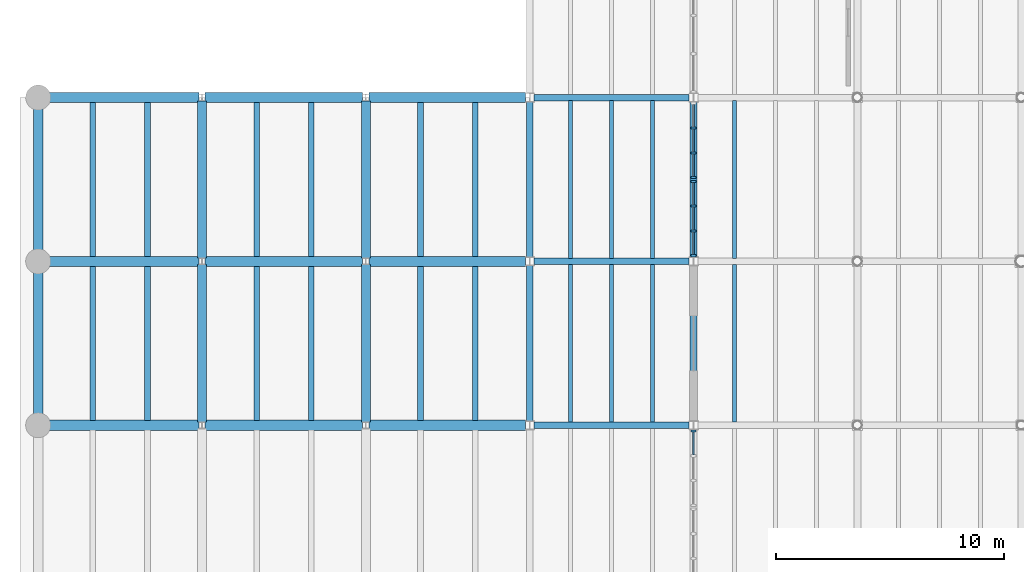
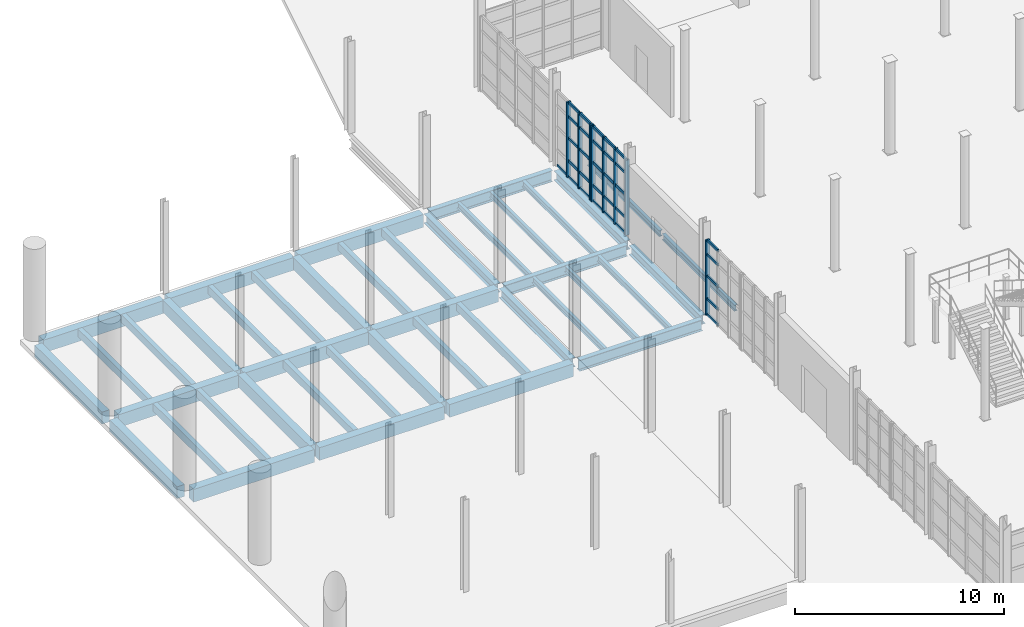
# One storey, part 32 of 79: 42 beams, 39 members, 3 elements without a shape of their own.
"""IFC4 building model written with IfcOpenShell, lengths in metres."""

from ifc_helpers import new_model, si_unit, direction, frame, origin, origin_2d, place, context, subcontext, project, spatial, rectangle, i_section, extrude, material, material_profile, profile_set, type_object, element, aggregate, save


model = new_model("IFC4")

# Units and contexts
model_context = context("Model", 3, precision=1e-05, world=origin(), true_north=direction((0.0, 1.0)))
body_context = subcontext(model_context, "Body", "Model", "MODEL_VIEW")
ifc_project = project(units=[si_unit("LENGTHUNIT", "METRE"), si_unit("AREAUNIT", "SQUARE_METRE"), si_unit("VOLUMEUNIT", "CUBIC_METRE"), si_unit("PLANEANGLEUNIT", "RADIAN"), si_unit("MASSUNIT", "GRAM", prefix="KILO")], contexts=[model_context])

# Site, building, storey
site_placement = place(None, origin())
site = spatial("IfcSite", under=ifc_project, at=site_placement, CompositionType="ELEMENT")
building_placement = place(site_placement, origin())
building = spatial("IfcBuilding", under=site, at=building_placement, Name="Qiaolan Assembly House", CompositionType="ELEMENT")
storey_placement = place(building_placement, origin())
storey = spatial("IfcBuildingStorey", under=building, at=storey_placement, Name="L00", CompositionType="ELEMENT", Elevation=0.0)

# Beams
ifc_material_1 = material(Name="Concrete C40/50", Category="concrete")
ifc_material_profile_1 = material_profile(ifc_material_1, rectangle(XDim=0.39990234375, YDim=0.699951171875, at=origin_2d()), Name="RCB 400x700")
ifc_profile_set_1 = profile_set([ifc_material_profile_1], Name="Concrete C40/50")
beam_type_1 = type_object("IfcBeamType", Name="BM-RC-400x700", PredefinedType="BEAM", material=ifc_profile_set_1)
for number, where, z_axis, x_axis, name in (
    (1, (0.0, 65.1650390625, -0.64990234375), (0.0, 1.0, 0.0), (-1.0, 0.0, 0.0), "GB-05 beam BMY-PT0-L00-00-03"),
    (2, (0.0, 72.364990234375, -0.64990234375), (0.0, 1.0, 0.0), (-1.0, 0.0, 0.0), "GB-05 beam BMY-PT0-L00-00-04"),
):
    element("IfcBeam", number, at=place(storey_placement, frame(where, z_axis=z_axis, x_axis=x_axis)), inside=storey, type_object=beam_type_1, Name=name, PredefinedType="BEAM", context=body_context, shape_type="SweptSolid", body=[
        extrude(rectangle(XDim=0.39990234375, YDim=0.699951171875, at=origin_2d()), origin(), (0.0, 0.0, 1.0), 6.469970703125),
    ])
for number, where, z_axis, x_axis, name in (
    (3, (7.199951171875, 64.93994140625, -0.64990234375), (0.0, 1.0, 0.0), (-1.0, 0.0, 0.0), "GB-05 beam BMY-PT0-L00-01-03"),
    (4, (7.199951171875, 72.139892578125, -0.64990234375), (0.0, 1.0, 0.0), (-1.0, 0.0, 0.0), "GB-05 beam BMY-PT0-L00-01-04"),
    (5, (14.39990234375, 64.93994140625, -0.64990234375), (0.0, 1.0, 0.0), (-1.0, 0.0, 0.0), "GB-05 beam BMY-PT0-L00-02-03"),
    (6, (14.39990234375, 72.139892578125, -0.64990234375), (0.0, 1.0, 0.0), (-1.0, 0.0, 0.0), "GB-05 beam BMY-PT0-L00-02-04"),
):
    element("IfcBeam", number, at=place(storey_placement, frame(where, z_axis=z_axis, x_axis=x_axis)), inside=storey, type_object=beam_type_1, Name=name, PredefinedType="BEAM", context=body_context, shape_type="SweptSolid", body=[
        extrude(rectangle(XDim=0.39990234375, YDim=0.699951171875, at=origin_2d()), origin(), (0.0, 0.0, 1.0), 6.920166015625),
    ])
ifc_material_profile_2 = material_profile(ifc_material_1, rectangle(XDim=0.449951171875, YDim=0.75, at=origin_2d()), Name="RCB 450x750")
ifc_profile_set_2 = profile_set([ifc_material_profile_2], Name="Concrete C40/50")
beam_type_2 = type_object("IfcBeamType", Name="BM-RC-450x750", PredefinedType="BEAM", material=ifc_profile_set_2)
beam_1_placement = place(storey_placement, frame((0.364990234375, 64.800048828125, -0.675048828125), z_axis=(1.0, 0.0, 0.0), x_axis=(0.0, 1.0, 0.0)))
element("IfcBeam", 7, at=beam_1_placement, inside=storey, type_object=beam_type_2, Name="GB-04 beam BMX-PT0-L00-00-03", PredefinedType="BEAM", context=body_context, shape_type="SweptSolid", body=[
    extrude(rectangle(XDim=0.449951171875, YDim=0.75, at=origin_2d()), origin(), (0.0, 0.0, 1.0), 6.695068359375),
])
beam_2_placement = place(storey_placement, frame((7.340087890625, 64.800048828125, -0.675048828125), z_axis=(1.0, 0.0, 0.0), x_axis=(0.0, 1.0, 0.0)))
element("IfcBeam", 8, at=beam_2_placement, inside=storey, type_object=beam_type_2, Name="GB-04 beam BMX-PT0-L00-01-03", PredefinedType="BEAM", context=body_context, shape_type="SweptSolid", body=[
    extrude(rectangle(XDim=0.449951171875, YDim=0.75, at=origin_2d()), origin(), (0.0, 0.0, 1.0), 6.919921875),
])
beam_3_placement = place(storey_placement, frame((14.5400390625, 64.800048828125, -0.675048828125), z_axis=(1.0, 0.0, 0.0), x_axis=(0.0, 1.0, 0.0)))
element("IfcBeam", 9, at=beam_3_placement, inside=storey, type_object=beam_type_2, Name="GB-04 beam BMX-PT0-L00-02-03", PredefinedType="BEAM", context=body_context, shape_type="SweptSolid", body=[
    extrude(rectangle(XDim=0.449951171875, YDim=0.75, at=origin_2d()), origin(), (0.0, 0.0, 1.0), 6.869873046875),
])
beam_4_placement = place(storey_placement, frame((0.364990234375, 72.0, -0.675048828125), z_axis=(1.0, 0.0, 0.0), x_axis=(0.0, 1.0, 0.0)))
element("IfcBeam", 10, at=beam_4_placement, inside=storey, type_object=beam_type_2, Name="GB-04 beam BMX-PT0-L00-00-04", PredefinedType="BEAM", context=body_context, shape_type="SweptSolid", body=[
    extrude(rectangle(XDim=0.449951171875, YDim=0.75, at=origin_2d()), origin(), (0.0, 0.0, 1.0), 6.695068359375),
])
beam_5_placement = place(storey_placement, frame((7.340087890625, 72.0, -0.675048828125), z_axis=(1.0, 0.0, 0.0), x_axis=(0.0, 1.0, 0.0)))
element("IfcBeam", 11, at=beam_5_placement, inside=storey, type_object=beam_type_2, Name="GB-04 beam BMX-PT0-L00-01-04", PredefinedType="BEAM", context=body_context, shape_type="SweptSolid", body=[
    extrude(rectangle(XDim=0.449951171875, YDim=0.75, at=origin_2d()), origin(), (0.0, 0.0, 1.0), 6.919921875),
])
beam_6_placement = place(storey_placement, frame((14.5400390625, 72.0, -0.675048828125), z_axis=(1.0, 0.0, 0.0), x_axis=(0.0, 1.0, 0.0)))
element("IfcBeam", 12, at=beam_6_placement, inside=storey, type_object=beam_type_2, Name="GB-04 beam BMX-PT0-L00-02-04", PredefinedType="BEAM", context=body_context, shape_type="SweptSolid", body=[
    extrude(rectangle(XDim=0.449951171875, YDim=0.75, at=origin_2d()), origin(), (0.0, 0.0, 1.0), 6.869873046875),
])
beam_7_placement = place(storey_placement, frame((0.364990234375, 79.199951171875, -0.675048828125), z_axis=(1.0, 0.0, 0.0), x_axis=(0.0, 1.0, 0.0)))
element("IfcBeam", 13, at=beam_7_placement, inside=storey, type_object=beam_type_2, Name="GB-04 beam BMX-PT0-L00-00-05", PredefinedType="BEAM", context=body_context, shape_type="SweptSolid", body=[
    extrude(rectangle(XDim=0.449951171875, YDim=0.75, at=origin_2d()), origin(), (0.0, 0.0, 1.0), 6.695068359375),
])
beam_8_placement = place(storey_placement, frame((7.340087890625, 79.199951171875, -0.675048828125), z_axis=(1.0, 0.0, 0.0), x_axis=(0.0, 1.0, 0.0)))
element("IfcBeam", 14, at=beam_8_placement, inside=storey, type_object=beam_type_2, Name="GB-04 beam BMX-PT0-L00-01-05", PredefinedType="BEAM", context=body_context, shape_type="SweptSolid", body=[
    extrude(rectangle(XDim=0.449951171875, YDim=0.75, at=origin_2d()), origin(), (0.0, 0.0, 1.0), 6.919921875),
])
beam_9_placement = place(storey_placement, frame((14.5400390625, 79.199951171875, -0.675048828125), z_axis=(1.0, 0.0, 0.0), x_axis=(0.0, 1.0, 0.0)))
element("IfcBeam", 15, at=beam_9_placement, inside=storey, type_object=beam_type_2, Name="GB-04 beam BMX-PT0-L00-02-05", PredefinedType="BEAM", context=body_context, shape_type="SweptSolid", body=[
    extrude(rectangle(XDim=0.449951171875, YDim=0.75, at=origin_2d()), origin(), (0.0, 0.0, 1.0), 6.869873046875),
])
ifc_material_2 = material(Name="Steel Q355B", Category="steel")
ifc_material_profile_3 = material_profile(ifc_material_2, i_section(OverallWidth=0.300048828125, OverallDepth=0.5400390625, WebThickness=0.010986328125, FlangeThickness=0.01806640625, FilletRadius=0.02001953125, at=origin_2d()), Name="HM 540x300x11x18")
ifc_profile_set_3 = profile_set([ifc_material_profile_3], Name="Steel Q355B")
beam_type_3 = type_object("IfcBeamType", Name="BM-STL-HM540", PredefinedType="BEAM", material=ifc_profile_set_3)
for number, where, z_axis, x_axis, name in (
    (16, (21.60009765625, 64.989990234375, -0.570068359375), (0.0, 1.0, 0.0), (-1.0, 0.0, 0.0), "SB-12 beam BMY-HL-L00-00-04"),
    (17, (21.60009765625, 72.18994140625, -0.570068359375), (0.0, 1.0, 0.0), (-1.0, 0.0, 0.0), "SB-12 beam BMY-HL-L00-00-05"),
    (18, (28.800048828125, 64.989990234375, -0.570068359375), (0.0, 1.0, 0.0), (-1.0, 0.0, 0.0), "SB-12 beam BMY-HL-L00-01-04"),
    (19, (28.800048828125, 72.18994140625, -0.570068359375), (0.0, 1.0, 0.0), (-1.0, 0.0, 0.0), "SB-12 beam BMY-HL-L00-01-05"),
):
    element("IfcBeam", number, at=place(storey_placement, frame(where, z_axis=z_axis, x_axis=x_axis)), inside=storey, type_object=beam_type_3, Name=name, PredefinedType="BEAM", context=body_context, shape_type="SweptSolid", body=[
        extrude(i_section(OverallWidth=0.300048828125, OverallDepth=0.5400390625, WebThickness=0.010986328125, FlangeThickness=0.01806640625, FilletRadius=0.02001953125, at=origin_2d()), origin(), (0.0, 0.0, 1.0), 6.820068359375),
    ])
ifc_material_profile_4 = material_profile(ifc_material_2, i_section(OverallWidth=0.280029296875, OverallDepth=0.64990234375, WebThickness=0.011962890625, FlangeThickness=0.02197265625, FilletRadius=0.02197265625, at=origin_2d()), Name="HN 650x280x12x22")
ifc_profile_set_4 = profile_set([ifc_material_profile_4], Name="Steel Q355B")
beam_type_4 = type_object("IfcBeamType", Name="BM-STL-HN650", PredefinedType="BEAM", material=ifc_profile_set_4)
for number, where, z_axis, x_axis, name in (
    (20, (21.7900390625, 64.800048828125, -0.625), (1.0, 0.0, 0.0), (0.0, 1.0, 0.0), "SB-10 beam BMX-HL-L00-00-04"),
    (21, (21.7900390625, 72.0, -0.625), (1.0, 0.0, 0.0), (0.0, 1.0, 0.0), "SB-10 beam BMX-HL-L00-00-05"),
    (22, (21.7900390625, 79.199951171875, -0.625), (1.0, 0.0, 0.0), (0.0, 1.0, 0.0), "SB-10 beam BMX-HL-L00-00-06"),
):
    element("IfcBeam", number, at=place(storey_placement, frame(where, z_axis=z_axis, x_axis=x_axis)), inside=storey, type_object=beam_type_4, Name=name, PredefinedType="BEAM", context=body_context, shape_type="SweptSolid", body=[
        extrude(i_section(OverallWidth=0.280029296875, OverallDepth=0.64990234375, WebThickness=0.011962890625, FlangeThickness=0.02197265625, FilletRadius=0.02197265625, at=origin_2d()), origin(), (0.0, 0.0, 1.0), 6.820068359375),
    ])

# Curtain wall, member
ifc_material_3 = material(Name="Anodised bronze aluminium", Category="aluminium")
curtain_wall_type = type_object("IfcCurtainWallType", Name="CW-HALL-MAIN-540", PredefinedType="NOTDEFINED", material=ifc_material_3)
curtain_wall_1_placement = place(storey_placement, origin())
curtain_wall_1 = element("IfcCurtainWall", 23, at=curtain_wall_1_placement, inside=storey, type_object=curtain_wall_type, Name="CW-01 Hall West facade L00-3B", PredefinedType="NOTDEFINED")
ifc_material_profile_5 = material_profile(ifc_material_3, rectangle(XDim=0.092041015625, YDim=0.219970703125, at=origin_2d()), Name="MUL 92x220")
ifc_profile_set_5 = profile_set([ifc_material_profile_5], Name="Anodised bronze aluminium")
member_type_1 = type_object("IfcMemberType", Name="CW-HALL-MAIN-540-MUL", PredefinedType="MULLION", material=ifc_profile_set_5)
member_1_placement = place(storey_placement, frame((28.800048828125, 64.550048828125, 0.0), z_axis=(0.0, 0.0, 1.0), x_axis=(0.0, 1.0, 0.0)))
member_1 = element("IfcMember", 24, at=member_1_placement, type_object=member_type_1, Name="ML-01 mullion CW-HALL-W-L00-3B-4", PredefinedType="MULLION", context=body_context, shape_type="SweptSolid", body=[
    extrude(rectangle(XDim=0.092041015625, YDim=0.219970703125, at=origin_2d()), origin(), (0.0, 0.0, 1.0), 4.39990234375),
])

# Curtain wall, members
curtain_wall_2_placement = place(storey_placement, origin())
curtain_wall_2 = element("IfcCurtainWall", 25, at=curtain_wall_2_placement, inside=storey, type_object=curtain_wall_type, Name="CW-01 Hall West facade L00-5A", PredefinedType="NOTDEFINED")
member_2_placement = place(storey_placement, frame((28.800048828125, 72.25, 0.0), z_axis=(0.0, 0.0, 1.0), x_axis=(0.0, 1.0, 0.0)))
member_2 = element("IfcMember", 26, at=member_2_placement, type_object=member_type_1, Name="ML-01 mullion CW-HALL-W-L00-5A-1", PredefinedType="MULLION", context=body_context, shape_type="SweptSolid", body=[
    extrude(rectangle(XDim=0.092041015625, YDim=0.219970703125, at=origin_2d()), origin(), (0.0, 0.0, 1.0), 4.39990234375),
])
member_3_placement = place(storey_placement, frame((28.800048828125, 73.340087890625, 0.0), z_axis=(0.0, 0.0, 1.0), x_axis=(0.0, 1.0, 0.0)))
member_3 = element("IfcMember", 27, at=member_3_placement, type_object=member_type_1, Name="ML-01 mullion CW-HALL-W-L00-5A-2", PredefinedType="MULLION", context=body_context, shape_type="SweptSolid", body=[
    extrude(rectangle(XDim=0.092041015625, YDim=0.219970703125, at=origin_2d()), origin(), (0.0, 0.0, 1.0), 4.39990234375),
])
member_4_placement = place(storey_placement, frame((28.800048828125, 74.429931640625, 0.0), z_axis=(0.0, 0.0, 1.0), x_axis=(0.0, 1.0, 0.0)))
member_4 = element("IfcMember", 28, at=member_4_placement, type_object=member_type_1, Name="ML-01 mullion CW-HALL-W-L00-5A-3", PredefinedType="MULLION", context=body_context, shape_type="SweptSolid", body=[
    extrude(rectangle(XDim=0.092041015625, YDim=0.219970703125, at=origin_2d()), origin(), (0.0, 0.0, 1.0), 4.39990234375),
])
member_5_placement = place(storey_placement, frame((28.800048828125, 75.52001953125, 0.0), z_axis=(0.0, 0.0, 1.0), x_axis=(0.0, 1.0, 0.0)))
member_5 = element("IfcMember", 29, at=member_5_placement, type_object=member_type_1, Name="ML-01 mullion CW-HALL-W-L00-5A-4", PredefinedType="MULLION", context=body_context, shape_type="SweptSolid", body=[
    extrude(rectangle(XDim=0.092041015625, YDim=0.219970703125, at=origin_2d()), origin(), (0.0, 0.0, 1.0), 4.39990234375),
])

curtain_wall_3_placement = place(storey_placement, origin())
curtain_wall_3 = element("IfcCurtainWall", 30, at=curtain_wall_3_placement, inside=storey, type_object=curtain_wall_type, Name="CW-01 Hall West facade L00-5B", PredefinedType="NOTDEFINED")
member_6_placement = place(storey_placement, frame((28.800048828125, 75.679931640625, 0.0), z_axis=(0.0, 0.0, 1.0), x_axis=(0.0, 1.0, 0.0)))
member_6 = element("IfcMember", 31, at=member_6_placement, type_object=member_type_1, Name="ML-01 mullion CW-HALL-W-L00-5B-1", PredefinedType="MULLION", context=body_context, shape_type="SweptSolid", body=[
    extrude(rectangle(XDim=0.092041015625, YDim=0.219970703125, at=origin_2d()), origin(), (0.0, 0.0, 1.0), 4.39990234375),
])
member_7_placement = place(storey_placement, frame((28.800048828125, 76.77001953125, 0.0), z_axis=(0.0, 0.0, 1.0), x_axis=(0.0, 1.0, 0.0)))
member_7 = element("IfcMember", 32, at=member_7_placement, type_object=member_type_1, Name="ML-01 mullion CW-HALL-W-L00-5B-2", PredefinedType="MULLION", context=body_context, shape_type="SweptSolid", body=[
    extrude(rectangle(XDim=0.092041015625, YDim=0.219970703125, at=origin_2d()), origin(), (0.0, 0.0, 1.0), 4.39990234375),
])
member_8_placement = place(storey_placement, frame((28.800048828125, 77.860107421875, 0.0), z_axis=(0.0, 0.0, 1.0), x_axis=(0.0, 1.0, 0.0)))
member_8 = element("IfcMember", 33, at=member_8_placement, type_object=member_type_1, Name="ML-01 mullion CW-HALL-W-L00-5B-3", PredefinedType="MULLION", context=body_context, shape_type="SweptSolid", body=[
    extrude(rectangle(XDim=0.092041015625, YDim=0.219970703125, at=origin_2d()), origin(), (0.0, 0.0, 1.0), 4.39990234375),
])

# Member
ifc_material_profile_6 = material_profile(ifc_material_3, rectangle(XDim=0.08203125, YDim=0.159912109375, at=origin_2d()), Name="TRN 82x160")
ifc_profile_set_6 = profile_set([ifc_material_profile_6], Name="Anodised bronze aluminium")
member_type_2 = type_object("IfcMemberType", Name="CW-HALL-MAIN-540-TRN", PredefinedType="USERDEFINED", material=ifc_profile_set_6)
member_9_placement = place(storey_placement, frame((28.800048828125, 63.506103515625, 0.030029296875), z_axis=(0.0, 1.0, 0.0), x_axis=(-1.0, 0.0, 0.0)))
member_9 = element("IfcMember", 34, at=member_9_placement, type_object=member_type_2, Name="TR-01 transom CW-HALL-W-L00-3B-3-1", ObjectType="TRANSOM", PredefinedType="USERDEFINED", context=body_context, shape_type="SweptSolid", body=[
    extrude(rectangle(XDim=0.08203125, YDim=0.159912109375, at=origin_2d()), origin(), (0.0, 0.0, 1.0), 0.997802734375),
])

member_10_placement = place(storey_placement, frame((28.800048828125, 63.506103515625, 0.949951171875), z_axis=(0.0, 1.0, 0.0), x_axis=(-1.0, 0.0, 0.0)))
member_10 = element("IfcMember", 35, at=member_10_placement, type_object=member_type_2, Name="TR-01 transom CW-HALL-W-L00-3B-3-2", ObjectType="TRANSOM", PredefinedType="USERDEFINED", context=body_context, shape_type="SweptSolid", body=[
    extrude(rectangle(XDim=0.08203125, YDim=0.159912109375, at=origin_2d()), origin(), (0.0, 0.0, 1.0), 0.997802734375),
])

member_11_placement = place(storey_placement, frame((28.800048828125, 63.506103515625, 2.2880859375), z_axis=(0.0, 1.0, 0.0), x_axis=(-1.0, 0.0, 0.0)))
member_11 = element("IfcMember", 36, at=member_11_placement, type_object=member_type_2, Name="TR-01 transom CW-HALL-W-L00-3B-3-3", ObjectType="TRANSOM", PredefinedType="USERDEFINED", context=body_context, shape_type="SweptSolid", body=[
    extrude(rectangle(XDim=0.08203125, YDim=0.159912109375, at=origin_2d()), origin(), (0.0, 0.0, 1.0), 0.997802734375),
])

member_12_placement = place(storey_placement, frame((28.800048828125, 63.506103515625, 3.550048828125), z_axis=(0.0, 1.0, 0.0), x_axis=(-1.0, 0.0, 0.0)))
member_12 = element("IfcMember", 37, at=member_12_placement, type_object=member_type_2, Name="TR-01 transom CW-HALL-W-L00-3B-3-4", ObjectType="TRANSOM", PredefinedType="USERDEFINED", context=body_context, shape_type="SweptSolid", body=[
    extrude(rectangle(XDim=0.08203125, YDim=0.159912109375, at=origin_2d()), origin(), (0.0, 0.0, 1.0), 0.997802734375),
])

member_13_placement = place(storey_placement, frame((28.800048828125, 63.506103515625, 4.3701171875), z_axis=(0.0, 1.0, 0.0), x_axis=(-1.0, 0.0, 0.0)))
member_13 = element("IfcMember", 38, at=member_13_placement, type_object=member_type_2, Name="TR-01 transom CW-HALL-W-L00-3B-3-5", ObjectType="TRANSOM", PredefinedType="USERDEFINED", context=body_context, shape_type="SweptSolid", body=[
    extrude(rectangle(XDim=0.08203125, YDim=0.159912109375, at=origin_2d()), origin(), (0.0, 0.0, 1.0), 0.997802734375),
])

aggregate(curtain_wall_1, [member_1, member_9, member_10, member_11, member_12, member_13])

member_14_placement = place(storey_placement, frame((28.800048828125, 72.2958984375, 0.030029296875), z_axis=(0.0, 1.0, 0.0), x_axis=(-1.0, 0.0, 0.0)))
member_14 = element("IfcMember", 39, at=member_14_placement, type_object=member_type_2, Name="TR-01 transom CW-HALL-W-L00-5A-1-1", ObjectType="TRANSOM", PredefinedType="USERDEFINED", context=body_context, shape_type="SweptSolid", body=[
    extrude(rectangle(XDim=0.08203125, YDim=0.159912109375, at=origin_2d()), origin(), (0.0, 0.0, 1.0), 0.998046875),
])

member_15_placement = place(storey_placement, frame((28.800048828125, 72.2958984375, 0.949951171875), z_axis=(0.0, 1.0, 0.0), x_axis=(-1.0, 0.0, 0.0)))
member_15 = element("IfcMember", 40, at=member_15_placement, type_object=member_type_2, Name="TR-01 transom CW-HALL-W-L00-5A-1-2", ObjectType="TRANSOM", PredefinedType="USERDEFINED", context=body_context, shape_type="SweptSolid", body=[
    extrude(rectangle(XDim=0.08203125, YDim=0.159912109375, at=origin_2d()), origin(), (0.0, 0.0, 1.0), 0.998046875),
])

member_16_placement = place(storey_placement, frame((28.800048828125, 72.2958984375, 2.2880859375), z_axis=(0.0, 1.0, 0.0), x_axis=(-1.0, 0.0, 0.0)))
member_16 = element("IfcMember", 41, at=member_16_placement, type_object=member_type_2, Name="TR-01 transom CW-HALL-W-L00-5A-1-3", ObjectType="TRANSOM", PredefinedType="USERDEFINED", context=body_context, shape_type="SweptSolid", body=[
    extrude(rectangle(XDim=0.08203125, YDim=0.159912109375, at=origin_2d()), origin(), (0.0, 0.0, 1.0), 0.998046875),
])

member_17_placement = place(storey_placement, frame((28.800048828125, 72.2958984375, 3.550048828125), z_axis=(0.0, 1.0, 0.0), x_axis=(-1.0, 0.0, 0.0)))
member_17 = element("IfcMember", 42, at=member_17_placement, type_object=member_type_2, Name="TR-01 transom CW-HALL-W-L00-5A-1-4", ObjectType="TRANSOM", PredefinedType="USERDEFINED", context=body_context, shape_type="SweptSolid", body=[
    extrude(rectangle(XDim=0.08203125, YDim=0.159912109375, at=origin_2d()), origin(), (0.0, 0.0, 1.0), 0.998046875),
])

member_18_placement = place(storey_placement, frame((28.800048828125, 72.2958984375, 4.3701171875), z_axis=(0.0, 1.0, 0.0), x_axis=(-1.0, 0.0, 0.0)))
member_18 = element("IfcMember", 43, at=member_18_placement, type_object=member_type_2, Name="TR-01 transom CW-HALL-W-L00-5A-1-5", ObjectType="TRANSOM", PredefinedType="USERDEFINED", context=body_context, shape_type="SweptSolid", body=[
    extrude(rectangle(XDim=0.08203125, YDim=0.159912109375, at=origin_2d()), origin(), (0.0, 0.0, 1.0), 0.998046875),
])

member_19_placement = place(storey_placement, frame((28.800048828125, 73.385986328125, 0.030029296875), z_axis=(0.0, 1.0, 0.0), x_axis=(-1.0, 0.0, 0.0)))
member_19 = element("IfcMember", 44, at=member_19_placement, type_object=member_type_2, Name="TR-01 transom CW-HALL-W-L00-5A-2-1", ObjectType="TRANSOM", PredefinedType="USERDEFINED", context=body_context, shape_type="SweptSolid", body=[
    extrude(rectangle(XDim=0.08203125, YDim=0.159912109375, at=origin_2d()), origin(), (0.0, 0.0, 1.0), 0.998046875),
])

member_20_placement = place(storey_placement, frame((28.800048828125, 73.385986328125, 0.949951171875), z_axis=(0.0, 1.0, 0.0), x_axis=(-1.0, 0.0, 0.0)))
member_20 = element("IfcMember", 45, at=member_20_placement, type_object=member_type_2, Name="TR-01 transom CW-HALL-W-L00-5A-2-2", ObjectType="TRANSOM", PredefinedType="USERDEFINED", context=body_context, shape_type="SweptSolid", body=[
    extrude(rectangle(XDim=0.08203125, YDim=0.159912109375, at=origin_2d()), origin(), (0.0, 0.0, 1.0), 0.998046875),
])

member_21_placement = place(storey_placement, frame((28.800048828125, 73.385986328125, 2.2880859375), z_axis=(0.0, 1.0, 0.0), x_axis=(-1.0, 0.0, 0.0)))
member_21 = element("IfcMember", 46, at=member_21_placement, type_object=member_type_2, Name="TR-01 transom CW-HALL-W-L00-5A-2-3", ObjectType="TRANSOM", PredefinedType="USERDEFINED", context=body_context, shape_type="SweptSolid", body=[
    extrude(rectangle(XDim=0.08203125, YDim=0.159912109375, at=origin_2d()), origin(), (0.0, 0.0, 1.0), 0.998046875),
])

member_22_placement = place(storey_placement, frame((28.800048828125, 73.385986328125, 3.550048828125), z_axis=(0.0, 1.0, 0.0), x_axis=(-1.0, 0.0, 0.0)))
member_22 = element("IfcMember", 47, at=member_22_placement, type_object=member_type_2, Name="TR-01 transom CW-HALL-W-L00-5A-2-4", ObjectType="TRANSOM", PredefinedType="USERDEFINED", context=body_context, shape_type="SweptSolid", body=[
    extrude(rectangle(XDim=0.08203125, YDim=0.159912109375, at=origin_2d()), origin(), (0.0, 0.0, 1.0), 0.998046875),
])

member_23_placement = place(storey_placement, frame((28.800048828125, 73.385986328125, 4.3701171875), z_axis=(0.0, 1.0, 0.0), x_axis=(-1.0, 0.0, 0.0)))
member_23 = element("IfcMember", 48, at=member_23_placement, type_object=member_type_2, Name="TR-01 transom CW-HALL-W-L00-5A-2-5", ObjectType="TRANSOM", PredefinedType="USERDEFINED", context=body_context, shape_type="SweptSolid", body=[
    extrude(rectangle(XDim=0.08203125, YDim=0.159912109375, at=origin_2d()), origin(), (0.0, 0.0, 1.0), 0.998046875),
])

member_24_placement = place(storey_placement, frame((28.800048828125, 74.47607421875, 0.030029296875), z_axis=(0.0, 1.0, 0.0), x_axis=(-1.0, 0.0, 0.0)))
member_24 = element("IfcMember", 49, at=member_24_placement, type_object=member_type_2, Name="TR-01 transom CW-HALL-W-L00-5A-3-1", ObjectType="TRANSOM", PredefinedType="USERDEFINED", context=body_context, shape_type="SweptSolid", body=[
    extrude(rectangle(XDim=0.08203125, YDim=0.159912109375, at=origin_2d()), origin(), (0.0, 0.0, 1.0), 0.998046875),
])

member_25_placement = place(storey_placement, frame((28.800048828125, 74.47607421875, 0.949951171875), z_axis=(0.0, 1.0, 0.0), x_axis=(-1.0, 0.0, 0.0)))
member_25 = element("IfcMember", 50, at=member_25_placement, type_object=member_type_2, Name="TR-01 transom CW-HALL-W-L00-5A-3-2", ObjectType="TRANSOM", PredefinedType="USERDEFINED", context=body_context, shape_type="SweptSolid", body=[
    extrude(rectangle(XDim=0.08203125, YDim=0.159912109375, at=origin_2d()), origin(), (0.0, 0.0, 1.0), 0.998046875),
])

member_26_placement = place(storey_placement, frame((28.800048828125, 74.47607421875, 2.2880859375), z_axis=(0.0, 1.0, 0.0), x_axis=(-1.0, 0.0, 0.0)))
member_26 = element("IfcMember", 51, at=member_26_placement, type_object=member_type_2, Name="TR-01 transom CW-HALL-W-L00-5A-3-3", ObjectType="TRANSOM", PredefinedType="USERDEFINED", context=body_context, shape_type="SweptSolid", body=[
    extrude(rectangle(XDim=0.08203125, YDim=0.159912109375, at=origin_2d()), origin(), (0.0, 0.0, 1.0), 0.998046875),
])

member_27_placement = place(storey_placement, frame((28.800048828125, 74.47607421875, 3.550048828125), z_axis=(0.0, 1.0, 0.0), x_axis=(-1.0, 0.0, 0.0)))
member_27 = element("IfcMember", 52, at=member_27_placement, type_object=member_type_2, Name="TR-01 transom CW-HALL-W-L00-5A-3-4", ObjectType="TRANSOM", PredefinedType="USERDEFINED", context=body_context, shape_type="SweptSolid", body=[
    extrude(rectangle(XDim=0.08203125, YDim=0.159912109375, at=origin_2d()), origin(), (0.0, 0.0, 1.0), 0.998046875),
])

member_28_placement = place(storey_placement, frame((28.800048828125, 74.47607421875, 4.3701171875), z_axis=(0.0, 1.0, 0.0), x_axis=(-1.0, 0.0, 0.0)))
member_28 = element("IfcMember", 53, at=member_28_placement, type_object=member_type_2, Name="TR-01 transom CW-HALL-W-L00-5A-3-5", ObjectType="TRANSOM", PredefinedType="USERDEFINED", context=body_context, shape_type="SweptSolid", body=[
    extrude(rectangle(XDim=0.08203125, YDim=0.159912109375, at=origin_2d()), origin(), (0.0, 0.0, 1.0), 0.998046875),
])

aggregate(curtain_wall_2, [member_2, member_3, member_4, member_5, member_14, member_15, member_16, member_17, member_18, member_19, member_20, member_21, member_22, member_23, member_24, member_25, member_26, member_27, member_28])

member_29_placement = place(storey_placement, frame((28.800048828125, 75.72607421875, 0.030029296875), z_axis=(0.0, 1.0, 0.0), x_axis=(-1.0, 0.0, 0.0)))
member_29 = element("IfcMember", 54, at=member_29_placement, type_object=member_type_2, Name="TR-01 transom CW-HALL-W-L00-5B-1-1", ObjectType="TRANSOM", PredefinedType="USERDEFINED", context=body_context, shape_type="SweptSolid", body=[
    extrude(rectangle(XDim=0.08203125, YDim=0.159912109375, at=origin_2d()), origin(), (0.0, 0.0, 1.0), 0.998046875),
])

member_30_placement = place(storey_placement, frame((28.800048828125, 75.72607421875, 0.949951171875), z_axis=(0.0, 1.0, 0.0), x_axis=(-1.0, 0.0, 0.0)))
member_30 = element("IfcMember", 55, at=member_30_placement, type_object=member_type_2, Name="TR-01 transom CW-HALL-W-L00-5B-1-2", ObjectType="TRANSOM", PredefinedType="USERDEFINED", context=body_context, shape_type="SweptSolid", body=[
    extrude(rectangle(XDim=0.08203125, YDim=0.159912109375, at=origin_2d()), origin(), (0.0, 0.0, 1.0), 0.998046875),
])

member_31_placement = place(storey_placement, frame((28.800048828125, 75.72607421875, 2.2880859375), z_axis=(0.0, 1.0, 0.0), x_axis=(-1.0, 0.0, 0.0)))
member_31 = element("IfcMember", 56, at=member_31_placement, type_object=member_type_2, Name="TR-01 transom CW-HALL-W-L00-5B-1-3", ObjectType="TRANSOM", PredefinedType="USERDEFINED", context=body_context, shape_type="SweptSolid", body=[
    extrude(rectangle(XDim=0.08203125, YDim=0.159912109375, at=origin_2d()), origin(), (0.0, 0.0, 1.0), 0.998046875),
])

member_32_placement = place(storey_placement, frame((28.800048828125, 75.72607421875, 3.550048828125), z_axis=(0.0, 1.0, 0.0), x_axis=(-1.0, 0.0, 0.0)))
member_32 = element("IfcMember", 57, at=member_32_placement, type_object=member_type_2, Name="TR-01 transom CW-HALL-W-L00-5B-1-4", ObjectType="TRANSOM", PredefinedType="USERDEFINED", context=body_context, shape_type="SweptSolid", body=[
    extrude(rectangle(XDim=0.08203125, YDim=0.159912109375, at=origin_2d()), origin(), (0.0, 0.0, 1.0), 0.998046875),
])

member_33_placement = place(storey_placement, frame((28.800048828125, 75.72607421875, 4.3701171875), z_axis=(0.0, 1.0, 0.0), x_axis=(-1.0, 0.0, 0.0)))
member_33 = element("IfcMember", 58, at=member_33_placement, type_object=member_type_2, Name="TR-01 transom CW-HALL-W-L00-5B-1-5", ObjectType="TRANSOM", PredefinedType="USERDEFINED", context=body_context, shape_type="SweptSolid", body=[
    extrude(rectangle(XDim=0.08203125, YDim=0.159912109375, at=origin_2d()), origin(), (0.0, 0.0, 1.0), 0.998046875),
])

member_34_placement = place(storey_placement, frame((28.800048828125, 76.81591796875, 0.030029296875), z_axis=(0.0, 1.0, 0.0), x_axis=(-1.0, 0.0, 0.0)))
member_34 = element("IfcMember", 59, at=member_34_placement, type_object=member_type_2, Name="TR-01 transom CW-HALL-W-L00-5B-2-1", ObjectType="TRANSOM", PredefinedType="USERDEFINED", context=body_context, shape_type="SweptSolid", body=[
    extrude(rectangle(XDim=0.08203125, YDim=0.159912109375, at=origin_2d()), origin(), (0.0, 0.0, 1.0), 0.998046875),
])

member_35_placement = place(storey_placement, frame((28.800048828125, 76.81591796875, 0.949951171875), z_axis=(0.0, 1.0, 0.0), x_axis=(-1.0, 0.0, 0.0)))
member_35 = element("IfcMember", 60, at=member_35_placement, type_object=member_type_2, Name="TR-01 transom CW-HALL-W-L00-5B-2-2", ObjectType="TRANSOM", PredefinedType="USERDEFINED", context=body_context, shape_type="SweptSolid", body=[
    extrude(rectangle(XDim=0.08203125, YDim=0.159912109375, at=origin_2d()), origin(), (0.0, 0.0, 1.0), 0.998046875),
])

member_36_placement = place(storey_placement, frame((28.800048828125, 76.81591796875, 2.2880859375), z_axis=(0.0, 1.0, 0.0), x_axis=(-1.0, 0.0, 0.0)))
member_36 = element("IfcMember", 61, at=member_36_placement, type_object=member_type_2, Name="TR-01 transom CW-HALL-W-L00-5B-2-3", ObjectType="TRANSOM", PredefinedType="USERDEFINED", context=body_context, shape_type="SweptSolid", body=[
    extrude(rectangle(XDim=0.08203125, YDim=0.159912109375, at=origin_2d()), origin(), (0.0, 0.0, 1.0), 0.998046875),
])

member_37_placement = place(storey_placement, frame((28.800048828125, 76.81591796875, 3.550048828125), z_axis=(0.0, 1.0, 0.0), x_axis=(-1.0, 0.0, 0.0)))
member_37 = element("IfcMember", 62, at=member_37_placement, type_object=member_type_2, Name="TR-01 transom CW-HALL-W-L00-5B-2-4", ObjectType="TRANSOM", PredefinedType="USERDEFINED", context=body_context, shape_type="SweptSolid", body=[
    extrude(rectangle(XDim=0.08203125, YDim=0.159912109375, at=origin_2d()), origin(), (0.0, 0.0, 1.0), 0.998046875),
])

member_38_placement = place(storey_placement, frame((28.800048828125, 76.81591796875, 4.3701171875), z_axis=(0.0, 1.0, 0.0), x_axis=(-1.0, 0.0, 0.0)))
member_38 = element("IfcMember", 63, at=member_38_placement, type_object=member_type_2, Name="TR-01 transom CW-HALL-W-L00-5B-2-5", ObjectType="TRANSOM", PredefinedType="USERDEFINED", context=body_context, shape_type="SweptSolid", body=[
    extrude(rectangle(XDim=0.08203125, YDim=0.159912109375, at=origin_2d()), origin(), (0.0, 0.0, 1.0), 0.998046875),
])

member_39_placement = place(storey_placement, frame((28.800048828125, 77.906005859375, 0.030029296875), z_axis=(0.0, 1.0, 0.0), x_axis=(-1.0, 0.0, 0.0)))
member_39 = element("IfcMember", 64, at=member_39_placement, type_object=member_type_2, Name="TR-01 transom CW-HALL-W-L00-5B-3-1", ObjectType="TRANSOM", PredefinedType="USERDEFINED", context=body_context, shape_type="SweptSolid", body=[
    extrude(rectangle(XDim=0.08203125, YDim=0.159912109375, at=origin_2d()), origin(), (0.0, 0.0, 1.0), 0.998046875),
])

aggregate(curtain_wall_3, [member_6, member_7, member_8, member_29, member_30, member_31, member_32, member_33, member_34, member_35, member_36, member_37, member_38, member_39])

# Beams
ifc_material_profile_7 = material_profile(ifc_material_1, rectangle(XDim=0.25, YDim=0.449951171875, at=origin_2d()), Name="RCB 250x450")
ifc_profile_set_7 = profile_set([ifc_material_profile_7], Name="Concrete C40/50")
beam_type_5 = type_object("IfcBeamType", Name="JST-RC-250x450", PredefinedType="JOIST", material=ifc_profile_set_7)
for number, where, z_axis, x_axis, name in (
    (65, (2.39990234375, 65.01904296875, -0.52490234375), (0.0, 1.0, 0.0), (-1.0, 0.0, 0.0), "RJ-02 beam JST-PT0-L00-00-03-1"),
    (66, (4.800048828125, 65.01904296875, -0.52490234375), (0.0, 1.0, 0.0), (-1.0, 0.0, 0.0), "RJ-02 beam JST-PT0-L00-00-03-2"),
    (67, (2.39990234375, 72.218994140625, -0.52490234375), (0.0, 1.0, 0.0), (-1.0, 0.0, 0.0), "RJ-02 beam JST-PT0-L00-00-04-1"),
    (68, (4.800048828125, 72.218994140625, -0.52490234375), (0.0, 1.0, 0.0), (-1.0, 0.0, 0.0), "RJ-02 beam JST-PT0-L00-00-04-2"),
    (69, (9.60009765625, 65.01904296875, -0.52490234375), (0.0, 1.0, 0.0), (-1.0, 0.0, 0.0), "RJ-02 beam JST-PT0-L00-01-03-1"),
    (70, (12.0, 65.01904296875, -0.52490234375), (0.0, 1.0, 0.0), (-1.0, 0.0, 0.0), "RJ-02 beam JST-PT0-L00-01-03-2"),
    (71, (9.60009765625, 72.218994140625, -0.52490234375), (0.0, 1.0, 0.0), (-1.0, 0.0, 0.0), "RJ-02 beam JST-PT0-L00-01-04-1"),
    (72, (12.0, 72.218994140625, -0.52490234375), (0.0, 1.0, 0.0), (-1.0, 0.0, 0.0), "RJ-02 beam JST-PT0-L00-01-04-2"),
    (73, (16.800048828125, 65.01904296875, -0.52490234375), (0.0, 1.0, 0.0), (-1.0, 0.0, 0.0), "RJ-02 beam JST-PT0-L00-02-03-1"),
    (74, (19.199951171875, 65.01904296875, -0.52490234375), (0.0, 1.0, 0.0), (-1.0, 0.0, 0.0), "RJ-02 beam JST-PT0-L00-02-03-2"),
    (75, (16.800048828125, 72.218994140625, -0.52490234375), (0.0, 1.0, 0.0), (-1.0, 0.0, 0.0), "RJ-02 beam JST-PT0-L00-02-04-1"),
    (76, (19.199951171875, 72.218994140625, -0.52490234375), (0.0, 1.0, 0.0), (-1.0, 0.0, 0.0), "RJ-02 beam JST-PT0-L00-02-04-2"),
):
    element("IfcBeam", number, at=place(storey_placement, frame(where, z_axis=z_axis, x_axis=x_axis)), inside=storey, type_object=beam_type_5, Name=name, PredefinedType="JOIST", context=body_context, shape_type="SweptSolid", body=[
        extrude(rectangle(XDim=0.25, YDim=0.449951171875, at=origin_2d()), origin(), (0.0, 0.0, 1.0), 6.761962890625),
    ])
ifc_material_profile_8 = material_profile(ifc_material_2, i_section(OverallWidth=0.175048828125, OverallDepth=0.35009765625, WebThickness=0.007080078125, FlangeThickness=0.010986328125, FilletRadius=0.013916015625, at=origin_2d()), Name="HN 350x175x7x11")
ifc_profile_set_8 = profile_set([ifc_material_profile_8], Name="Steel Q355B")
beam_type_6 = type_object("IfcBeamType", Name="JST-STL-HN350", PredefinedType="JOIST", material=ifc_profile_set_8)
for number, where, z_axis, x_axis, name in (
    (77, (23.39990234375, 64.93408203125, -0.47509765625), (0.0, 1.0, 0.0), (-1.0, 0.0, 0.0), "SJ-01 beam JST-HL-L00-00-04-1"),
    (78, (25.199951171875, 64.93408203125, -0.47509765625), (0.0, 1.0, 0.0), (-1.0, 0.0, 0.0), "SJ-01 beam JST-HL-L00-00-04-2"),
    (79, (27.0, 64.93408203125, -0.47509765625), (0.0, 1.0, 0.0), (-1.0, 0.0, 0.0), "SJ-01 beam JST-HL-L00-00-04-3"),
    (80, (23.39990234375, 72.134033203125, -0.47509765625), (0.0, 1.0, 0.0), (-1.0, 0.0, 0.0), "SJ-01 beam JST-HL-L00-00-05-1"),
    (81, (25.199951171875, 72.134033203125, -0.47509765625), (0.0, 1.0, 0.0), (-1.0, 0.0, 0.0), "SJ-01 beam JST-HL-L00-00-05-2"),
    (82, (27.0, 72.134033203125, -0.47509765625), (0.0, 1.0, 0.0), (-1.0, 0.0, 0.0), "SJ-01 beam JST-HL-L00-00-05-3"),
    (83, (30.60009765625, 64.93408203125, -0.47509765625), (0.0, 1.0, 0.0), (-1.0, 0.0, 0.0), "SJ-01 beam JST-HL-L00-01-04-1"),
    (84, (30.60009765625, 72.134033203125, -0.47509765625), (0.0, 1.0, 0.0), (-1.0, 0.0, 0.0), "SJ-01 beam JST-HL-L00-01-05-1"),
):
    element("IfcBeam", number, at=place(storey_placement, frame(where, z_axis=z_axis, x_axis=x_axis)), inside=storey, type_object=beam_type_6, Name=name, PredefinedType="JOIST", context=body_context, shape_type="SweptSolid", body=[
        extrude(i_section(OverallWidth=0.175048828125, OverallDepth=0.35009765625, WebThickness=0.007080078125, FlangeThickness=0.010986328125, FilletRadius=0.013916015625, at=origin_2d()), origin(), (0.0, 0.0, 1.0), 6.931884765625),
    ])

save(model, "model.ifc")
